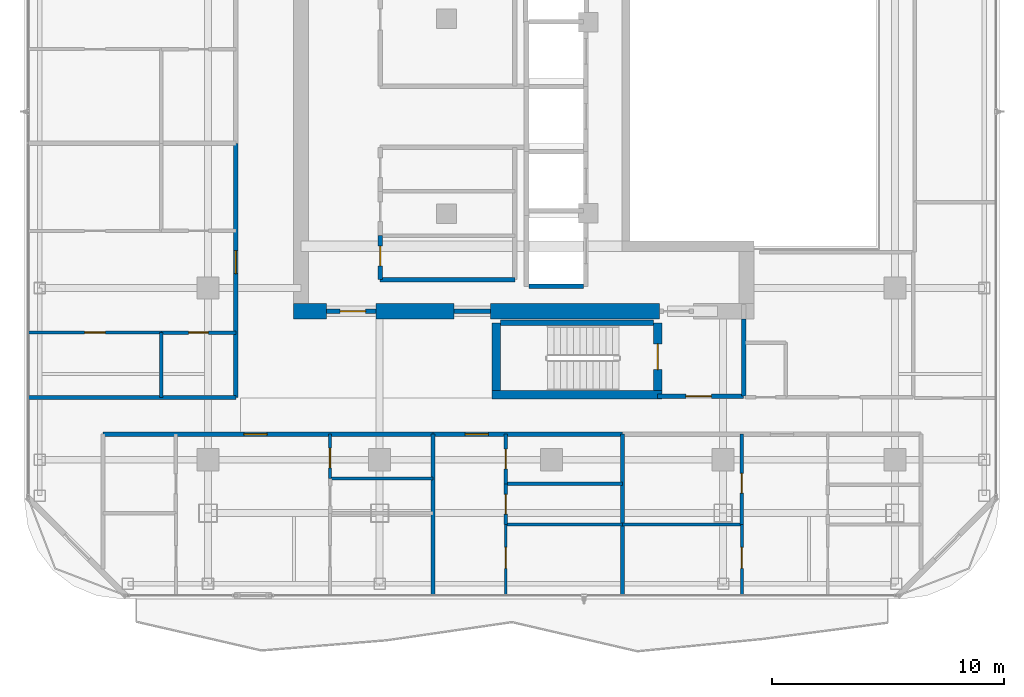
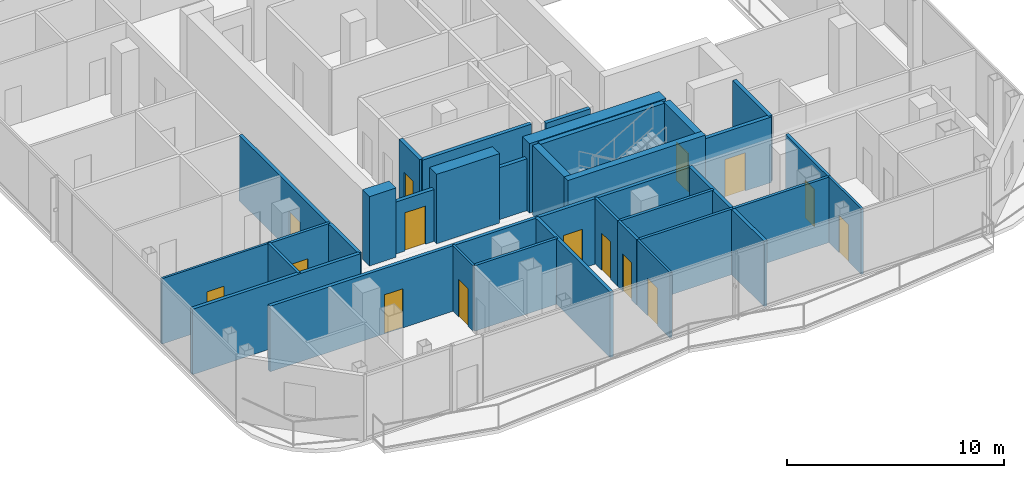
# One storey, part 17 of 26: 33 walls, 15 doors, 15 openings.
"""IFC4 building model written with IfcOpenShell, lengths in metres."""

from ifc_helpers import new_model, si_unit, direction, frame, frame_2d, origin, place, context, subcontext, project, spatial, rectangle, extrude, material, layer, layer_set, type_object, element, fill, save


model = new_model("IFC4")

# Units and contexts
model_context = context("Model", 3, precision=1e-05, world=origin(), true_north=direction((0.0, 1.0)))
body_context = subcontext(model_context, "Body", "Model", "MODEL_VIEW")
ifc_project = project(units=[si_unit("LENGTHUNIT", "METRE"), si_unit("AREAUNIT", "SQUARE_METRE"), si_unit("VOLUMEUNIT", "CUBIC_METRE"), si_unit("PLANEANGLEUNIT", "RADIAN"), si_unit("MASSUNIT", "GRAM", prefix="KILO")], contexts=[model_context])

# Site, building, storey
site_placement = place(None, origin())
site = spatial("IfcSite", under=ifc_project, at=site_placement, CompositionType="ELEMENT")
building_placement = place(site_placement, origin())
building = spatial("IfcBuilding", under=site, at=building_placement, Name="Khorvyn Point Tower", CompositionType="ELEMENT")
storey_placement = place(building_placement, frame((0.0, 0.0, 289.800048828125)))
storey = spatial("IfcBuildingStorey", under=building, at=storey_placement, Name="L71", CompositionType="ELEMENT", Elevation=289.800048828125)

# Wall, opening, door
ifc_material_1 = material(Name="Double acoustic gypsum on twin steel stud", Category="steel")
ifc_layer_1 = layer(ifc_material_1, 0.179931640625)
ifc_layer_set_1 = layer_set([ifc_layer_1], Name="Acoustic Double-Stud Apartment Demising Wall 180")
wall_type_1 = type_object("IfcWallType", Name="Acoustic Double-Stud Apartment Demising Wall 180", PredefinedType="PARTITIONING", material=ifc_layer_set_1)
wall_1_placement = place(storey_placement, frame((-19.320068359375, -13.699951171875, 0.0), z_axis=(0.0, 0.0, 1.0), x_axis=(1.0, 0.0, 0.0)))
wall_1 = element("IfcWall", 1, at=wall_1_placement, inside=storey, type_object=wall_type_1, Name="Wall", PredefinedType="PARTITIONING", context=body_context, shape_type="SweptSolid", body=[
    extrude(rectangle(XDim=14.213134765625, YDim=0.179931640625, at=frame_2d((7.1064453125, 0.0))), origin(), (0.0, 0.0, 1.0), 3.679931640625),
])
opening_1_placement = place(wall_1_placement, frame((6.0693359375, 0.0, 0.0)))
opening_1 = element("IfcOpeningElement", 2, at=opening_1_placement, cuts=wall_1, Name="Opening ID-AP60", PredefinedType="OPENING", context=body_context, shape_type="SweptSolid", body=[
    extrude(rectangle(XDim=1.0, YDim=2.199951171875, at=frame_2d((0.5, 1.10009765625))), frame((0.0, 0.099853515625, 0.0), z_axis=(0.0, -1.0, 0.0), x_axis=(1.0, 0.0, 0.0)), (0.0, 0.0, 1.0), 0.199951171875),
])
ifc_material_2 = material(Name="Engineered hardwood fire-rated leaf", Category="wood")
door_type_1 = type_object("IfcDoorType", Name="Acoustic Solid-Core Timber Apartment Entrance Door 1000x2200", OperationType="NOTDEFINED", PredefinedType="DOOR", material=ifc_material_2)
door_1_placement = place(opening_1_placement, origin())
door_1 = element("IfcDoor", 3, at=door_1_placement, inside=storey, type_object=door_type_1, Name="Door", OperationType="SINGLE_SWING_LEFT", OverallHeight=2.199951171875, OverallWidth=1.0, PredefinedType="DOOR", context=body_context, shape_type="SweptSolid", body=[
    extrude(rectangle(XDim=1.0, YDim=2.199951171875, at=frame_2d((0.5, 1.10009765625))), frame((0.0, 0.02490234375, 0.0), z_axis=(0.0, -1.0, 0.0), x_axis=(1.0, 0.0, 0.0)), (0.0, 0.0, 1.0), 0.050048828125),
])
fill(opening_1, door_1)

wall_2_placement = place(storey_placement, frame((-5.10693359375, -13.699951171875, 0.0), z_axis=(0.0, 0.0, 1.0), x_axis=(1.0, 0.0, 0.0)))
wall_2 = element("IfcWall", 4, at=wall_2_placement, inside=storey, type_object=wall_type_1, Name="Wall", PredefinedType="PARTITIONING", context=body_context, shape_type="SweptSolid", body=[
    extrude(rectangle(XDim=8.169921875, YDim=0.179931640625, at=frame_2d((4.0849609375, 0.0))), origin(), (0.0, 0.0, 1.0), 3.679931640625),
])
opening_2_placement = place(wall_2_placement, frame((1.389404296875, 0.0, 0.0)))
opening_2 = element("IfcOpeningElement", 5, at=opening_2_placement, cuts=wall_2, Name="Opening ID-AP60", PredefinedType="OPENING", context=body_context, shape_type="SweptSolid", body=[
    extrude(rectangle(XDim=1.0, YDim=2.199951171875, at=frame_2d((0.5, 1.10009765625))), frame((0.0, 0.099853515625, 0.0), z_axis=(0.0, -1.0, 0.0), x_axis=(1.0, 0.0, 0.0)), (0.0, 0.0, 1.0), 0.199951171875),
])
door_2_placement = place(opening_2_placement, origin())
door_2 = element("IfcDoor", 6, at=door_2_placement, inside=storey, type_object=door_type_1, Name="Door", OperationType="SINGLE_SWING_LEFT", OverallHeight=2.199951171875, OverallWidth=1.0, PredefinedType="DOOR", context=body_context, shape_type="SweptSolid", body=[
    extrude(rectangle(XDim=1.0, YDim=2.199951171875, at=frame_2d((0.5, 1.10009765625))), frame((0.0, 0.02490234375, 0.0), z_axis=(0.0, -1.0, 0.0), x_axis=(1.0, 0.0, 0.0)), (0.0, 0.0, 1.0), 0.050048828125),
])
fill(opening_2, door_2)

wall_3_placement = place(storey_placement, frame((-13.60009765625, -12.1201171875, 0.0), z_axis=(0.0, 0.0, 1.0), x_axis=(0.0, 1.0, 0.0)))
wall_3 = element("IfcWall", 7, at=wall_3_placement, inside=storey, type_object=wall_type_1, Name="Wall", PredefinedType="PARTITIONING", context=body_context, shape_type="SweptSolid", body=[
    extrude(rectangle(XDim=10.9560546875, YDim=0.179931640625, at=frame_2d((5.47802734375, 0.0))), origin(), (0.0, 0.0, 1.0), 3.679931640625),
])
opening_3_placement = place(wall_3_placement, frame((5.3349609375, 0.0, 0.0)))
opening_3 = element("IfcOpeningElement", 8, at=opening_3_placement, cuts=wall_3, Name="Opening ID-AP60", PredefinedType="OPENING", context=body_context, shape_type="SweptSolid", body=[
    extrude(rectangle(XDim=1.0, YDim=2.199951171875, at=frame_2d((0.5, 1.10009765625))), frame((0.0, 0.099853515625, 0.0), z_axis=(0.0, -1.0, 0.0), x_axis=(1.0, 0.0, 0.0)), (0.0, 0.0, 1.0), 0.199951171875),
])
door_3_placement = place(opening_3_placement, origin())
door_3 = element("IfcDoor", 9, at=door_3_placement, inside=storey, type_object=door_type_1, Name="Door", OperationType="SINGLE_SWING_LEFT", OverallHeight=2.199951171875, OverallWidth=1.0, PredefinedType="DOOR", context=body_context, shape_type="SweptSolid", body=[
    extrude(rectangle(XDim=1.0, YDim=2.199951171875, at=frame_2d((0.5, 1.10009765625))), frame((0.0, 0.02490234375, 0.0), z_axis=(0.0, -1.0, 0.0), x_axis=(1.0, 0.0, 0.0)), (0.0, 0.0, 1.0), 0.050048828125),
])
fill(opening_3, door_3)

# Walls
for number, where, z_axis, x_axis, name in (
    (10, (-5.10693359375, -20.6298828125, 0.0), (0.0, 0.0, 1.0), (0.0, 1.0, 0.0), "Wall"),
    (11, (3.06298828125, -20.6298828125, 0.0), (0.0, 0.0, 1.0), (0.0, 1.0, 0.0), "Wall"),
):
    element("IfcWall", number, at=place(storey_placement, frame(where, z_axis=z_axis, x_axis=x_axis)), inside=storey, type_object=wall_type_1, Name=name, PredefinedType="PARTITIONING", context=body_context, shape_type="SweptSolid", body=[
        extrude(rectangle(XDim=6.929931640625, YDim=0.179931640625, at=frame_2d((3.46484375, 0.0))), origin(), (0.0, 0.0, 1.0), 3.679931640625),
    ])
wall_4_placement = place(storey_placement, frame((-22.530029296875, -12.1201171875, 0.0), z_axis=(0.0, 0.0, 1.0), x_axis=(1.0, 0.0, 0.0)))
element("IfcWall", 12, at=wall_4_placement, inside=storey, type_object=wall_type_1, Name="Wall", PredefinedType="PARTITIONING", context=body_context, shape_type="SweptSolid", body=[
    extrude(rectangle(XDim=8.929931640625, YDim=0.179931640625, at=frame_2d((4.46484375, 0.0))), origin(), (0.0, 0.0, 1.0), 3.679931640625),
])
ifc_material_3 = material(Name="Concrete C40/50", Category="concrete")
ifc_layer_2 = layer(ifc_material_3, 0.64990234375)
ifc_layer_set_2 = layer_set([ifc_layer_2], Name="Concrete C40/50 Core Shear Wall 650")
wall_type_2 = type_object("IfcWallType", Name="Concrete C40/50 Core Shear Wall 650", PredefinedType="SHEAR", material=ifc_layer_set_2)
wall_5_placement = place(storey_placement, frame((-11.125, -8.39990234375, 0.0), z_axis=(0.0, 0.0, 1.0), x_axis=(1.0, 0.0, 0.0)))
element("IfcWall", 13, at=wall_5_placement, inside=storey, type_object=wall_type_2, Name="Wall", PredefinedType="SHEAR", context=body_context, shape_type="SweptSolid", body=[
    extrude(rectangle(XDim=1.425048828125, YDim=0.64990234375, at=frame_2d((0.71240234375, 0.0))), origin(), (0.0, 0.0, 1.0), 3.89990234375),
])
wall_6_placement = place(storey_placement, frame((-7.550048828125, -8.39990234375, 0.0), z_axis=(0.0, 0.0, 1.0), x_axis=(1.0, 0.0, 0.0)))
element("IfcWall", 14, at=wall_6_placement, inside=storey, type_object=wall_type_2, Name="Wall", PredefinedType="SHEAR", context=body_context, shape_type="SweptSolid", body=[
    extrude(rectangle(XDim=3.35009765625, YDim=0.64990234375, at=frame_2d((1.675048828125, 0.0))), origin(), (0.0, 0.0, 1.0), 3.89990234375),
])
wall_7_placement = place(storey_placement, frame((-2.6201171875, -8.39990234375, 0.0), z_axis=(0.0, 0.0, 1.0), x_axis=(1.0, 0.0, 0.0)))
element("IfcWall", 15, at=wall_7_placement, inside=storey, type_object=wall_type_2, Name="Wall", PredefinedType="SHEAR", context=body_context, shape_type="SweptSolid", body=[
    extrude(rectangle(XDim=7.27001953125, YDim=0.64990234375, at=frame_2d((3.635009765625, 0.0))), origin(), (0.0, 0.0, 1.0), 3.89990234375),
])

# Wall, opening, door
ifc_layer_3 = layer(ifc_material_3, 0.199951171875)
ifc_layer_set_3 = layer_set([ifc_layer_3], Name="Concrete C40/50 Fire-Lobby Compartment Wall 200")
wall_type_3 = type_object("IfcWallType", Name="Concrete C40/50 Fire-Lobby Compartment Wall 200", PredefinedType="SOLIDWALL", material=ifc_layer_set_3)
wall_8_placement = place(storey_placement, frame((4.580078125, -12.06005859375, 0.0), z_axis=(0.0, 0.0, 1.0), x_axis=(1.0, 0.0, 0.0)))
wall_8 = element("IfcWall", 16, at=wall_8_placement, inside=storey, type_object=wall_type_3, Name="Wall", PredefinedType="SOLIDWALL", context=body_context, shape_type="SweptSolid", body=[
    extrude(rectangle(XDim=3.699951171875, YDim=0.199951171875, at=frame_2d((1.85009765625, 0.0))), origin(), (0.0, 0.0, 1.0), 3.679931640625),
])
opening_4_placement = place(wall_8_placement, frame((1.21240234375, 0.0, 0.0)))
opening_4 = element("IfcOpeningElement", 17, at=opening_4_placement, cuts=wall_8, Name="Opening ID-FL90", PredefinedType="OPENING", context=body_context, shape_type="SweptSolid", body=[
    extrude(rectangle(XDim=1.10009765625, YDim=2.14990234375, at=frame_2d((0.550048828125, 1.074951171875))), frame((0.0, 0.10986328125, 0.0), z_axis=(0.0, -1.0, 0.0), x_axis=(1.0, 0.0, 0.0)), (0.0, 0.0, 1.0), 0.219970703125),
])
ifc_material_4 = material(Name="Galvanised powder-coated steel", Category="steel")
door_type_2 = type_object("IfcDoorType", Name="Fire-Rated Steel Lobby and Stair Door 1100x2150", OperationType="NOTDEFINED", PredefinedType="DOOR", material=ifc_material_4)
door_4_placement = place(opening_4_placement, origin())
door_4 = element("IfcDoor", 18, at=door_4_placement, inside=storey, type_object=door_type_2, Name="Door", OperationType="SINGLE_SWING_RIGHT", OverallHeight=2.14990234375, OverallWidth=1.10009765625, PredefinedType="DOOR", context=body_context, shape_type="SweptSolid", body=[
    extrude(rectangle(XDim=1.10009765625, YDim=2.14990234375, at=frame_2d((0.550048828125, 1.074951171875))), frame((0.0, 0.02490234375, 0.0), z_axis=(0.0, -1.0, 0.0), x_axis=(1.0, 0.0, 0.0)), (0.0, 0.0, 1.0), 0.050048828125),
])
fill(opening_4, door_4)

wall_9_placement = place(storey_placement, frame((-9.699951171875, -8.39990234375, 0.0), z_axis=(0.0, 0.0, 1.0), x_axis=(1.0, 0.0, 0.0)))
wall_9 = element("IfcWall", 19, at=wall_9_placement, inside=storey, type_object=wall_type_3, Name="Wall", PredefinedType="SOLIDWALL", context=body_context, shape_type="SweptSolid", body=[
    extrude(rectangle(XDim=2.14990234375, YDim=0.199951171875, at=frame_2d((1.074951171875, 0.0))), origin(), (0.0, 0.0, 1.0), 2.919921875),
])
opening_5_placement = place(wall_9_placement, frame((0.597900390625, 0.0, 0.0)))
opening_5 = element("IfcOpeningElement", 20, at=opening_5_placement, cuts=wall_9, Name="Opening ID-FL90", PredefinedType="OPENING", context=body_context, shape_type="SweptSolid", body=[
    extrude(rectangle(XDim=1.10009765625, YDim=2.14990234375, at=frame_2d((0.550048828125, 1.074951171875))), frame((0.0, 0.10986328125, 0.0), z_axis=(0.0, -1.0, 0.0), x_axis=(1.0, 0.0, 0.0)), (0.0, 0.0, 1.0), 0.219970703125),
])
door_5_placement = place(opening_5_placement, origin())
door_5 = element("IfcDoor", 21, at=door_5_placement, inside=storey, type_object=door_type_2, Name="Door", OperationType="SINGLE_SWING_LEFT", OverallHeight=2.14990234375, OverallWidth=1.10009765625, PredefinedType="DOOR", context=body_context, shape_type="SweptSolid", body=[
    extrude(rectangle(XDim=1.10009765625, YDim=2.14990234375, at=frame_2d((0.550048828125, 1.074951171875))), frame((0.0, 0.02490234375, 0.0), z_axis=(0.0, -1.0, 0.0), x_axis=(1.0, 0.0, 0.0)), (0.0, 0.0, 1.0), 0.050048828125),
])
fill(opening_5, door_5)

wall_10_placement = place(storey_placement, frame((-7.3798828125, -7.0400390625, 0.0), z_axis=(0.0, 0.0, 1.0), x_axis=(0.0, 1.0, 0.0)))
wall_10 = element("IfcWall", 22, at=wall_10_placement, inside=storey, type_object=wall_type_3, Name="Wall", PredefinedType="SOLIDWALL", context=body_context, shape_type="SweptSolid", body=[
    extrude(rectangle(XDim=1.900146484375, YDim=0.199951171875, at=frame_2d((0.9501953125, 0.0))), origin(), (0.0, 0.0, 1.0), 3.679931640625),
])
opening_6_placement = place(wall_10_placement, frame((0.597900390625, 0.0, 0.0)))
opening_6 = element("IfcOpeningElement", 23, at=opening_6_placement, cuts=wall_10, Name="Opening ID-WC85", PredefinedType="OPENING", context=body_context, shape_type="SweptSolid", body=[
    extrude(rectangle(XDim=0.85009765625, YDim=2.10009765625, at=frame_2d((0.425048828125, 1.050048828125))), frame((0.0, 0.10986328125, 0.0), z_axis=(0.0, -1.0, 0.0), x_axis=(1.0, 0.0, 0.0)), (0.0, 0.0, 1.0), 0.219970703125),
])
ifc_material_5 = material(Name="High-pressure laminate on moisture-resistant core", Category="wood")
door_type_3 = type_object("IfcDoorType", Name="Moisture-Resistant Accessible Washroom Door 850x2100", OperationType="NOTDEFINED", PredefinedType="DOOR", material=ifc_material_5)
door_6_placement = place(opening_6_placement, origin())
door_6 = element("IfcDoor", 24, at=door_6_placement, inside=storey, type_object=door_type_3, Name="Door", OperationType="SINGLE_SWING_LEFT", OverallHeight=2.10009765625, OverallWidth=0.85009765625, PredefinedType="DOOR", context=body_context, shape_type="SweptSolid", body=[
    extrude(rectangle(XDim=0.85009765625, YDim=2.10009765625, at=frame_2d((0.425048828125, 1.050048828125))), frame((0.0, 0.02490234375, 0.0), z_axis=(0.0, -1.0, 0.0), x_axis=(1.0, 0.0, 0.0)), (0.0, 0.0, 1.0), 0.050048828125),
])
fill(opening_6, door_6)

# Walls
wall_11_placement = place(storey_placement, frame((8.280029296875, -12.06005859375, 0.0), z_axis=(0.0, 0.0, 1.0), x_axis=(0.0, 1.0, 0.0)))
element("IfcWall", 25, at=wall_11_placement, inside=storey, type_object=wall_type_3, Name="Wall", PredefinedType="SOLIDWALL", context=body_context, shape_type="SweptSolid", body=[
    extrude(rectangle(XDim=3.3349609375, YDim=0.199951171875, at=frame_2d((1.66748046875, 0.0))), origin(), (0.0, 0.0, 1.0), 3.679931640625),
])
wall_12_placement = place(storey_placement, frame((-4.199951171875, -8.39990234375, 0.0), z_axis=(0.0, 0.0, 1.0), x_axis=(1.0, 0.0, 0.0)))
element("IfcWall", 26, at=wall_12_placement, inside=storey, type_object=wall_type_3, Name="Wall", PredefinedType="SOLIDWALL", context=body_context, shape_type="SweptSolid", body=[
    extrude(rectangle(XDim=1.579833984375, YDim=0.199951171875, at=frame_2d((0.7900390625, 0.0))), origin(), (0.0, 0.0, 1.0), 2.919921875),
])
wall_13_placement = place(storey_placement, frame((-7.3798828125, -7.0400390625, 0.0), z_axis=(0.0, 0.0, 1.0), x_axis=(1.0, 0.0, 0.0)))
element("IfcWall", 27, at=wall_13_placement, inside=storey, type_object=wall_type_3, Name="Wall", PredefinedType="SOLIDWALL", context=body_context, shape_type="SweptSolid", body=[
    extrude(rectangle(XDim=5.7998046875, YDim=0.199951171875, at=frame_2d((2.89990234375, 0.0))), origin(), (0.0, 0.0, 1.0), 3.679931640625),
])
ifc_layer_4 = layer(ifc_material_3, 0.25)
ifc_layer_set_4 = layer_set([ifc_layer_4], Name="Concrete C40/50 Stair Inner Cheek Structural Wall 250")
wall_type_4 = type_object("IfcWallType", Name="Concrete C40/50 Stair Inner Cheek Structural Wall 250", PredefinedType="SHEAR", material=ifc_layer_set_4)
wall_14_placement = place(storey_placement, frame((-2.199951171875, -8.89990234375, 0.0), z_axis=(0.0, 0.0, 1.0), x_axis=(1.0, 0.0, 0.0)))
element("IfcWall", 28, at=wall_14_placement, inside=storey, type_object=wall_type_4, Name="Wall", PredefinedType="SHEAR", context=body_context, shape_type="SweptSolid", body=[
    extrude(rectangle(XDim=6.599853515625, YDim=0.25, at=frame_2d((3.2998046875, 0.0))), origin(), (0.0, 0.0, 1.0), 3.89990234375),
])
ifc_layer_5 = layer(ifc_material_3, 0.35009765625)
ifc_layer_set_5 = layer_set([ifc_layer_5], Name="Concrete C40/50 Stair Shaft Structural Wall 350")
wall_type_5 = type_object("IfcWallType", Name="Concrete C40/50 Stair Shaft Structural Wall 350", PredefinedType="SHEAR", material=ifc_layer_set_5)
wall_15_placement = place(storey_placement, frame((-2.554931640625, -12.0, 0.0), z_axis=(0.0, 0.0, 1.0), x_axis=(1.0, 0.0, 0.0)))
element("IfcWall", 29, at=wall_15_placement, inside=storey, type_object=wall_type_5, Name="L71 ST-01 South Shaft Wall", PredefinedType="SHEAR", context=body_context, shape_type="SweptSolid", body=[
    extrude(rectangle(XDim=7.309814453125, YDim=0.35009765625, at=frame_2d((3.65478515625, 0.0))), origin(), (0.0, 0.0, 1.0), 3.89990234375),
])
wall_16_placement = place(storey_placement, frame((-2.3798828125, -11.824951171875, 0.0), z_axis=(0.0, 0.0, 1.0), x_axis=(0.0, 1.0, 0.0)))
element("IfcWall", 30, at=wall_16_placement, inside=storey, type_object=wall_type_5, Name="L71 ST-01 West Shaft Wall", PredefinedType="SHEAR", context=body_context, shape_type="SweptSolid", body=[
    extrude(rectangle(XDim=2.925048828125, YDim=0.35009765625, at=frame_2d((1.46240234375, 0.0))), origin(), (0.0, 0.0, 1.0), 3.89990234375),
])

# Wall, opening, door
wall_17_placement = place(storey_placement, frame((4.580078125, -8.89990234375, 0.0), z_axis=(0.0, 0.0, 1.0), x_axis=(0.0, -1.0, 0.0)))
wall_17 = element("IfcWall", 31, at=wall_17_placement, inside=storey, type_object=wall_type_5, Name="L71 ST-01 East Landing Door Wall", PredefinedType="SHEAR", context=body_context, shape_type="SweptSolid", body=[
    extrude(rectangle(XDim=2.925048828125, YDim=0.35009765625, at=frame_2d((1.46240234375, 0.0))), origin(), (0.0, 0.0, 1.0), 3.89990234375),
])
opening_7_placement = place(wall_17_placement, frame((0.91259765625, 0.0, 0.0)))
opening_7 = element("IfcOpeningElement", 32, at=opening_7_placement, cuts=wall_17, Name="Opening ID-FL90", PredefinedType="OPENING", context=body_context, shape_type="SweptSolid", body=[
    extrude(rectangle(XDim=1.10009765625, YDim=2.14990234375, at=frame_2d((0.550048828125, 1.074951171875))), frame((0.0, 0.18505859375, 0.0), z_axis=(0.0, -1.0, 0.0), x_axis=(1.0, 0.0, 0.0)), (0.0, 0.0, 1.0), 0.3701171875),
])
door_7_placement = place(opening_7_placement, origin())
door_7 = element("IfcDoor", 33, at=door_7_placement, inside=storey, type_object=door_type_2, Name="L71 ST-01 Smokeproof Landing Door", OperationType="SINGLE_SWING_LEFT", OverallHeight=2.14990234375, OverallWidth=1.10009765625, PredefinedType="DOOR", context=body_context, shape_type="SweptSolid", body=[
    extrude(rectangle(XDim=1.10009765625, YDim=2.14990234375, at=frame_2d((0.550048828125, 1.074951171875))), frame((0.0, 0.02490234375, 0.0), z_axis=(0.0, -1.0, 0.0), x_axis=(1.0, 0.0, 0.0)), (0.0, 0.0, 1.0), 0.050048828125),
])
fill(opening_7, door_7)

# Wall
ifc_layer_6 = layer(ifc_material_3, 0.199951171875)
ifc_layer_set_6 = layer_set([ifc_layer_6], Name="Concrete C40/50 Structural Hoistway and Stair Shaft Wall 200")
wall_type_6 = type_object("IfcWallType", Name="Concrete C40/50 Structural Hoistway and Stair Shaft Wall 200", PredefinedType="SHEAR", material=ifc_layer_set_6)
wall_18_placement = place(storey_placement, frame((-0.97509765625, -7.324951171875, 0.0), z_axis=(0.0, 0.0, 1.0), x_axis=(1.0, 0.0, 0.0)))
element("IfcWall", 34, at=wall_18_placement, inside=storey, type_object=wall_type_6, Name="Wall", PredefinedType="SHEAR", context=body_context, shape_type="SweptSolid", body=[
    extrude(rectangle(XDim=2.35009765625, YDim=0.199951171875, at=frame_2d((1.175048828125, 0.0))), origin(), (0.0, 0.0, 1.0), 3.679931640625),
])

# Wall, opening, door
ifc_material_6 = material(Name="Gypsum plasterboard on steel stud", Category="steel")
ifc_layer_7 = layer(ifc_material_6, 0.1201171875)
ifc_layer_set_7 = layer_set([ifc_layer_7], Name="Gypsum Acoustic Stud Room Partition Wall 120")
wall_type_7 = type_object("IfcWallType", Name="Gypsum Acoustic Stud Room Partition Wall 120", PredefinedType="PARTITIONING", material=ifc_layer_set_7)
wall_19_placement = place(storey_placement, frame((-9.541015625, -15.60791015625, 0.0), z_axis=(0.0, 0.0, 1.0), x_axis=(0.0, 1.0, 0.0)))
wall_19 = element("IfcWall", 35, at=wall_19_placement, inside=storey, type_object=wall_type_7, Name="Wall", PredefinedType="PARTITIONING", context=body_context, shape_type="SweptSolid", body=[
    extrude(rectangle(XDim=1.907958984375, YDim=0.1201171875, at=frame_2d((0.9541015625, 0.0))), origin(), (0.0, 0.0, 1.0), 3.679931640625),
])
opening_8_placement = place(wall_19_placement, frame((0.455078125, 0.0, 0.0)))
opening_8 = element("IfcOpeningElement", 36, at=opening_8_placement, cuts=wall_19, Name="Opening ID-WC85", PredefinedType="OPENING", context=body_context, shape_type="SweptSolid", body=[
    extrude(rectangle(XDim=0.85009765625, YDim=2.10009765625, at=frame_2d((0.425048828125, 1.050048828125))), frame((0.0, 0.070068359375, 0.0), z_axis=(0.0, -1.0, 0.0), x_axis=(1.0, 0.0, 0.0)), (0.0, 0.0, 1.0), 0.14013671875),
])
door_8_placement = place(opening_8_placement, origin())
door_8 = element("IfcDoor", 37, at=door_8_placement, inside=storey, type_object=door_type_3, Name="Door", OperationType="SINGLE_SWING_LEFT", OverallHeight=2.10009765625, OverallWidth=0.85009765625, PredefinedType="DOOR", context=body_context, shape_type="SweptSolid", body=[
    extrude(rectangle(XDim=0.85009765625, YDim=2.10009765625, at=frame_2d((0.425048828125, 1.050048828125))), frame((0.0, 0.02490234375, 0.0), z_axis=(0.0, -1.0, 0.0), x_axis=(1.0, 0.0, 0.0)), (0.0, 0.0, 1.0), 0.050048828125),
])
fill(opening_8, door_8)

wall_20_placement = place(storey_placement, frame((-1.965087890625, -20.6298828125, 0.0), z_axis=(0.0, 0.0, 1.0), x_axis=(0.0, 1.0, 0.0)))
wall_20 = element("IfcWall", 38, at=wall_20_placement, inside=storey, type_object=wall_type_7, Name="Wall", PredefinedType="PARTITIONING", context=body_context, shape_type="SweptSolid", body=[
    extrude(rectangle(XDim=3.039794921875, YDim=0.1201171875, at=frame_2d((1.52001953125, 0.0))), origin(), (0.0, 0.0, 1.0), 3.679931640625),
])
opening_9_placement = place(wall_20_placement, frame((1.152587890625, 0.0, 0.0)))
opening_9 = element("IfcOpeningElement", 39, at=opening_9_placement, cuts=wall_20, Name="Opening ID-RM90", PredefinedType="OPENING", context=body_context, shape_type="SweptSolid", body=[
    extrude(rectangle(XDim=0.89990234375, YDim=2.10009765625, at=frame_2d((0.449951171875, 1.050048828125))), frame((0.0, 0.070068359375, 0.0), z_axis=(0.0, -1.0, 0.0), x_axis=(1.0, 0.0, 0.0)), (0.0, 0.0, 1.0), 0.14013671875),
])
ifc_material_7 = material(Name="Engineered oak veneer timber", Category="wood")
door_type_4 = type_object("IfcDoorType", Name="Flush Engineered Timber Room Door 900x2100", OperationType="NOTDEFINED", PredefinedType="DOOR", material=ifc_material_7)
door_9_placement = place(opening_9_placement, origin())
door_9 = element("IfcDoor", 40, at=door_9_placement, inside=storey, type_object=door_type_4, Name="Door", OperationType="SINGLE_SWING_RIGHT", OverallHeight=2.10009765625, OverallWidth=0.89990234375, PredefinedType="DOOR", context=body_context, shape_type="SweptSolid", body=[
    extrude(rectangle(XDim=0.89990234375, YDim=2.10009765625, at=frame_2d((0.449951171875, 1.050048828125))), frame((0.0, 0.02490234375, 0.0), z_axis=(0.0, -1.0, 0.0), x_axis=(1.0, 0.0, 0.0)), (0.0, 0.0, 1.0), 0.050048828125),
])
fill(opening_9, door_9)

wall_21_placement = place(storey_placement, frame((8.2060546875, -20.6298828125, 0.0), z_axis=(0.0, 0.0, 1.0), x_axis=(0.0, 1.0, 0.0)))
wall_21 = element("IfcWall", 41, at=wall_21_placement, inside=storey, type_object=wall_type_7, Name="Wall", PredefinedType="PARTITIONING", context=body_context, shape_type="SweptSolid", body=[
    extrude(rectangle(XDim=3.039794921875, YDim=0.1201171875, at=frame_2d((1.52001953125, 0.0))), origin(), (0.0, 0.0, 1.0), 3.679931640625),
])
opening_10_placement = place(wall_21_placement, frame((1.152587890625, 0.0, 0.0)))
opening_10 = element("IfcOpeningElement", 42, at=opening_10_placement, cuts=wall_21, Name="Opening ID-RM90", PredefinedType="OPENING", context=body_context, shape_type="SweptSolid", body=[
    extrude(rectangle(XDim=0.89990234375, YDim=2.10009765625, at=frame_2d((0.449951171875, 1.050048828125))), frame((0.0, 0.070068359375, 0.0), z_axis=(0.0, -1.0, 0.0), x_axis=(1.0, 0.0, 0.0)), (0.0, 0.0, 1.0), 0.14013671875),
])
door_10_placement = place(opening_10_placement, origin())
door_10 = element("IfcDoor", 43, at=door_10_placement, inside=storey, type_object=door_type_4, Name="Door", OperationType="SINGLE_SWING_LEFT", OverallHeight=2.10009765625, OverallWidth=0.89990234375, PredefinedType="DOOR", context=body_context, shape_type="SweptSolid", body=[
    extrude(rectangle(XDim=0.89990234375, YDim=2.10009765625, at=frame_2d((0.449951171875, 1.050048828125))), frame((0.0, 0.02490234375, 0.0), z_axis=(0.0, -1.0, 0.0), x_axis=(1.0, 0.0, 0.0)), (0.0, 0.0, 1.0), 0.050048828125),
])
fill(opening_10, door_10)

wall_22_placement = place(storey_placement, frame((-22.530029296875, -9.320068359375, 0.0), z_axis=(0.0, 0.0, 1.0), x_axis=(1.0, 0.0, 0.0)))
wall_22 = element("IfcWall", 44, at=wall_22_placement, inside=storey, type_object=wall_type_7, Name="Wall", PredefinedType="PARTITIONING", context=body_context, shape_type="SweptSolid", body=[
    extrude(rectangle(XDim=5.720947265625, YDim=0.1201171875, at=frame_2d((2.8603515625, 0.0))), origin(), (0.0, 0.0, 1.0), 3.679931640625),
])
opening_11_placement = place(wall_22_placement, frame((2.410400390625, 0.0, 0.0)))
opening_11 = element("IfcOpeningElement", 45, at=opening_11_placement, cuts=wall_22, Name="Opening ID-RM90", PredefinedType="OPENING", context=body_context, shape_type="SweptSolid", body=[
    extrude(rectangle(XDim=0.89990234375, YDim=2.10009765625, at=frame_2d((0.449951171875, 1.050048828125))), frame((0.0, 0.070068359375, 0.0), z_axis=(0.0, -1.0, 0.0), x_axis=(1.0, 0.0, 0.0)), (0.0, 0.0, 1.0), 0.14013671875),
])
door_11_placement = place(opening_11_placement, origin())
door_11 = element("IfcDoor", 46, at=door_11_placement, inside=storey, type_object=door_type_4, Name="Door", OperationType="SINGLE_SWING_RIGHT", OverallHeight=2.10009765625, OverallWidth=0.89990234375, PredefinedType="DOOR", context=body_context, shape_type="SweptSolid", body=[
    extrude(rectangle(XDim=0.89990234375, YDim=2.10009765625, at=frame_2d((0.449951171875, 1.050048828125))), frame((0.0, 0.02490234375, 0.0), z_axis=(0.0, -1.0, 0.0), x_axis=(1.0, 0.0, 0.0)), (0.0, 0.0, 1.0), 0.050048828125),
])
fill(opening_11, door_11)

ifc_material_8 = material(Name="Moisture-resistant gypsum and cement board", Category="gypsum")
ifc_layer_8 = layer(ifc_material_8, 0.14990234375)
ifc_layer_set_8 = layer_set([ifc_layer_8], Name="Moisture-Resistant Wet-Room Partition Wall 150")
wall_type_8 = type_object("IfcWallType", Name="Moisture-Resistant Wet-Room Partition Wall 150", PredefinedType="PARTITIONING", material=ifc_layer_set_8)
wall_23_placement = place(storey_placement, frame((-1.965087890625, -15.839111328125, 0.0), z_axis=(0.0, 0.0, 1.0), x_axis=(0.0, 1.0, 0.0)))
wall_23 = element("IfcWall", 47, at=wall_23_placement, inside=storey, type_object=wall_type_8, Name="Wall", PredefinedType="PARTITIONING", context=body_context, shape_type="SweptSolid", body=[
    extrude(rectangle(XDim=2.13916015625, YDim=0.14990234375, at=frame_2d((1.069580078125, 0.0))), origin(), (0.0, 0.0, 1.0), 3.679931640625),
])
opening_12_placement = place(wall_23_placement, frame((0.64453125, 0.0, 0.0)))
opening_12 = element("IfcOpeningElement", 48, at=opening_12_placement, cuts=wall_23, Name="Opening ID-WC85", PredefinedType="OPENING", context=body_context, shape_type="SweptSolid", body=[
    extrude(rectangle(XDim=0.85009765625, YDim=2.10009765625, at=frame_2d((0.425048828125, 1.050048828125))), frame((0.0, 0.0849609375, 0.0), z_axis=(0.0, -1.0, 0.0), x_axis=(1.0, 0.0, 0.0)), (0.0, 0.0, 1.0), 0.169921875),
])
door_12_placement = place(opening_12_placement, origin())
door_12 = element("IfcDoor", 49, at=door_12_placement, inside=storey, type_object=door_type_3, Name="Door", OperationType="SINGLE_SWING_RIGHT", OverallHeight=2.10009765625, OverallWidth=0.85009765625, PredefinedType="DOOR", context=body_context, shape_type="SweptSolid", body=[
    extrude(rectangle(XDim=0.85009765625, YDim=2.10009765625, at=frame_2d((0.425048828125, 1.050048828125))), frame((0.0, 0.02490234375, 0.0), z_axis=(0.0, -1.0, 0.0), x_axis=(1.0, 0.0, 0.0)), (0.0, 0.0, 1.0), 0.050048828125),
])
fill(opening_12, door_12)

wall_24_placement = place(storey_placement, frame((-1.965087890625, -17.590087890625, 0.0), z_axis=(0.0, 0.0, 1.0), x_axis=(0.0, 1.0, 0.0)))
wall_24 = element("IfcWall", 50, at=wall_24_placement, inside=storey, type_object=wall_type_8, Name="Wall", PredefinedType="PARTITIONING", context=body_context, shape_type="SweptSolid", body=[
    extrude(rectangle(XDim=1.7509765625, YDim=0.14990234375, at=frame_2d((0.87548828125, 0.0))), origin(), (0.0, 0.0, 1.0), 3.679931640625),
])
opening_13_placement = place(wall_24_placement, frame((0.450439453125, 0.0, 0.0)))
opening_13 = element("IfcOpeningElement", 51, at=opening_13_placement, cuts=wall_24, Name="Opening ID-WC85", PredefinedType="OPENING", context=body_context, shape_type="SweptSolid", body=[
    extrude(rectangle(XDim=0.85009765625, YDim=2.10009765625, at=frame_2d((0.425048828125, 1.050048828125))), frame((0.0, 0.0849609375, 0.0), z_axis=(0.0, -1.0, 0.0), x_axis=(1.0, 0.0, 0.0)), (0.0, 0.0, 1.0), 0.169921875),
])
door_13_placement = place(opening_13_placement, origin())
door_13 = element("IfcDoor", 52, at=door_13_placement, inside=storey, type_object=door_type_3, Name="Door", OperationType="SINGLE_SWING_LEFT", OverallHeight=2.10009765625, OverallWidth=0.85009765625, PredefinedType="DOOR", context=body_context, shape_type="SweptSolid", body=[
    extrude(rectangle(XDim=0.85009765625, YDim=2.10009765625, at=frame_2d((0.425048828125, 1.050048828125))), frame((0.0, 0.02490234375, 0.0), z_axis=(0.0, -1.0, 0.0), x_axis=(1.0, 0.0, 0.0)), (0.0, 0.0, 1.0), 0.050048828125),
])
fill(opening_13, door_13)

wall_25_placement = place(storey_placement, frame((8.2060546875, -17.590087890625, 0.0), z_axis=(0.0, 0.0, 1.0), x_axis=(0.0, 1.0, 0.0)))
wall_25 = element("IfcWall", 53, at=wall_25_placement, inside=storey, type_object=wall_type_8, Name="Wall", PredefinedType="PARTITIONING", context=body_context, shape_type="SweptSolid", body=[
    extrude(rectangle(XDim=3.89013671875, YDim=0.14990234375, at=frame_2d((1.945068359375, 0.0))), origin(), (0.0, 0.0, 1.0), 3.679931640625),
])
opening_14_placement = place(wall_25_placement, frame((1.35009765625, 0.0, 0.0)))
opening_14 = element("IfcOpeningElement", 54, at=opening_14_placement, cuts=wall_25, Name="Opening ID-WC85", PredefinedType="OPENING", context=body_context, shape_type="SweptSolid", body=[
    extrude(rectangle(XDim=0.85009765625, YDim=2.10009765625, at=frame_2d((0.425048828125, 1.050048828125))), frame((0.0, 0.0849609375, 0.0), z_axis=(0.0, -1.0, 0.0), x_axis=(1.0, 0.0, 0.0)), (0.0, 0.0, 1.0), 0.169921875),
])
door_14_placement = place(opening_14_placement, origin())
door_14 = element("IfcDoor", 55, at=door_14_placement, inside=storey, type_object=door_type_3, Name="Door", OperationType="SINGLE_SWING_RIGHT", OverallHeight=2.10009765625, OverallWidth=0.85009765625, PredefinedType="DOOR", context=body_context, shape_type="SweptSolid", body=[
    extrude(rectangle(XDim=0.85009765625, YDim=2.10009765625, at=frame_2d((0.425048828125, 1.050048828125))), frame((0.0, 0.02490234375, 0.0), z_axis=(0.0, -1.0, 0.0), x_axis=(1.0, 0.0, 0.0)), (0.0, 0.0, 1.0), 0.050048828125),
])
fill(opening_14, door_14)

wall_26_placement = place(storey_placement, frame((-16.80908203125, -9.320068359375, 0.0), z_axis=(0.0, 0.0, 1.0), x_axis=(1.0, 0.0, 0.0)))
wall_26 = element("IfcWall", 56, at=wall_26_placement, inside=storey, type_object=wall_type_8, Name="Wall", PredefinedType="PARTITIONING", context=body_context, shape_type="SweptSolid", body=[
    extrude(rectangle(XDim=3.208984375, YDim=0.14990234375, at=frame_2d((1.6044921875, 0.0))), origin(), (0.0, 0.0, 1.0), 3.679931640625),
])
opening_15_placement = place(wall_26_placement, frame((1.179443359375, 0.0, 0.0)))
opening_15 = element("IfcOpeningElement", 57, at=opening_15_placement, cuts=wall_26, Name="Opening ID-WC85", PredefinedType="OPENING", context=body_context, shape_type="SweptSolid", body=[
    extrude(rectangle(XDim=0.85009765625, YDim=2.10009765625, at=frame_2d((0.425048828125, 1.050048828125))), frame((0.0, 0.0849609375, 0.0), z_axis=(0.0, -1.0, 0.0), x_axis=(1.0, 0.0, 0.0)), (0.0, 0.0, 1.0), 0.169921875),
])
door_15_placement = place(opening_15_placement, origin())
door_15 = element("IfcDoor", 58, at=door_15_placement, inside=storey, type_object=door_type_3, Name="Door", OperationType="SINGLE_SWING_LEFT", OverallHeight=2.10009765625, OverallWidth=0.85009765625, PredefinedType="DOOR", context=body_context, shape_type="SweptSolid", body=[
    extrude(rectangle(XDim=0.85009765625, YDim=2.10009765625, at=frame_2d((0.425048828125, 1.050048828125))), frame((0.0, 0.02490234375, 0.0), z_axis=(0.0, -1.0, 0.0), x_axis=(1.0, 0.0, 0.0)), (0.0, 0.0, 1.0), 0.050048828125),
])
fill(opening_15, door_15)

# Walls
wall_27_placement = place(storey_placement, frame((-9.541015625, -15.60791015625, 0.0), z_axis=(0.0, 0.0, 1.0), x_axis=(1.0, 0.0, 0.0)))
element("IfcWall", 59, at=wall_27_placement, inside=storey, type_object=wall_type_8, Name="Wall", PredefinedType="PARTITIONING", context=body_context, shape_type="SweptSolid", body=[
    extrude(rectangle(XDim=4.43408203125, YDim=0.14990234375, at=frame_2d((2.217041015625, 0.0))), origin(), (0.0, 0.0, 1.0), 3.679931640625),
])
for number, where, z_axis, x_axis, name in (
    (60, (-1.965087890625, -15.839111328125, 0.0), (0.0, 0.0, 1.0), (1.0, 0.0, 0.0), "Wall"),
    (61, (-1.965087890625, -17.590087890625, 0.0), (0.0, 0.0, 1.0), (1.0, 0.0, 0.0), "Wall"),
):
    element("IfcWall", number, at=place(storey_placement, frame(where, z_axis=z_axis, x_axis=x_axis)), inside=storey, type_object=wall_type_8, Name=name, PredefinedType="PARTITIONING", context=body_context, shape_type="SweptSolid", body=[
        extrude(rectangle(XDim=5.028076171875, YDim=0.14990234375, at=frame_2d((2.51416015625, 0.0))), origin(), (0.0, 0.0, 1.0), 3.679931640625),
    ])
wall_28_placement = place(storey_placement, frame((3.06298828125, -17.590087890625, 0.0), z_axis=(0.0, 0.0, 1.0), x_axis=(1.0, 0.0, 0.0)))
element("IfcWall", 62, at=wall_28_placement, inside=storey, type_object=wall_type_8, Name="Wall", PredefinedType="PARTITIONING", context=body_context, shape_type="SweptSolid", body=[
    extrude(rectangle(XDim=5.14306640625, YDim=0.14990234375, at=frame_2d((2.571533203125, 0.0))), origin(), (0.0, 0.0, 1.0), 3.679931640625),
])
wall_29_placement = place(storey_placement, frame((-16.80908203125, -12.1201171875, 0.0), z_axis=(0.0, 0.0, 1.0), x_axis=(0.0, 1.0, 0.0)))
element("IfcWall", 63, at=wall_29_placement, inside=storey, type_object=wall_type_8, Name="Wall", PredefinedType="PARTITIONING", context=body_context, shape_type="SweptSolid", body=[
    extrude(rectangle(XDim=2.800048828125, YDim=0.14990234375, at=frame_2d((1.39990234375, 0.0))), origin(), (0.0, 0.0, 1.0), 3.679931640625),
])

save(model, "model.ifc")
